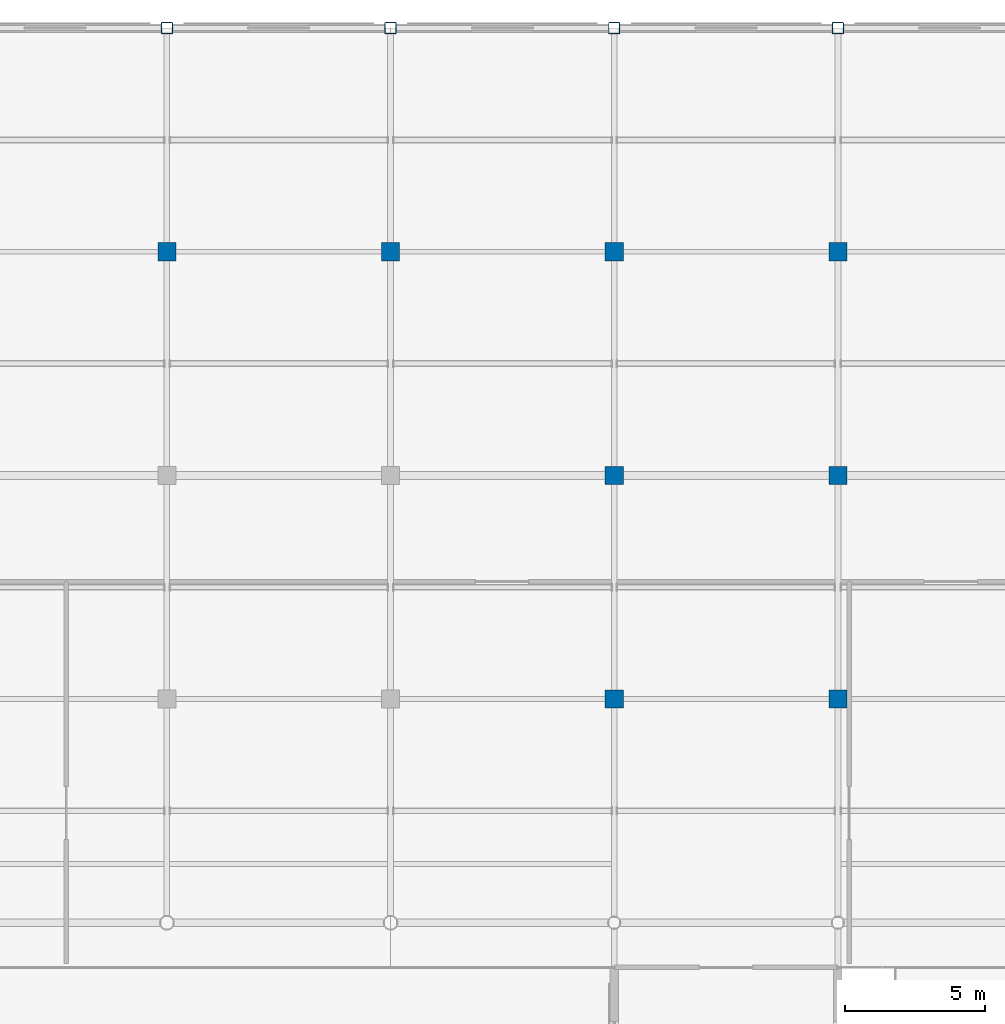
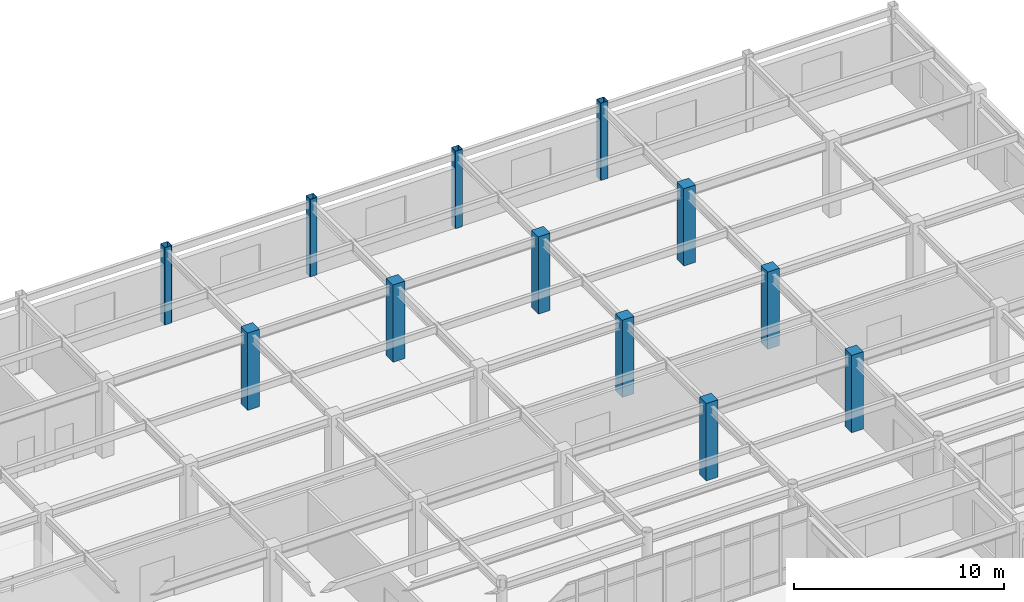
# One storey, part 11 of 93: 12 columns.
"""IFC4 building model written with IfcOpenShell, lengths in metres."""

from ifc_helpers import new_model, si_unit, direction, frame, origin, origin_2d, place, context, subcontext, project, spatial, rectangle, hollow_rectangle, extrude, material, material_profile, profile_set, type_object, element, save


model = new_model("IFC4")

# Units and contexts
model_context = context("Model", 3, precision=1e-05, world=origin(), true_north=direction((0.0, 1.0)))
body_context = subcontext(model_context, "Body", "Model", "MODEL_VIEW")
ifc_project = project(units=[si_unit("LENGTHUNIT", "METRE"), si_unit("AREAUNIT", "SQUARE_METRE"), si_unit("VOLUMEUNIT", "CUBIC_METRE"), si_unit("PLANEANGLEUNIT", "RADIAN"), si_unit("MASSUNIT", "GRAM", prefix="KILO")], contexts=[model_context])

# Site, building, storey
site_placement = place(None, origin())
site = spatial("IfcSite", under=ifc_project, at=site_placement, CompositionType="ELEMENT")
building_placement = place(site_placement, origin())
building = spatial("IfcBuilding", under=site, at=building_placement, Name="Solmirada Galleria", CompositionType="ELEMENT")
storey_placement = place(building_placement, frame((0.0, 0.0, 14.89990234375)))
storey = spatial("IfcBuildingStorey", under=building, at=storey_placement, Name="L03", CompositionType="ELEMENT", Elevation=14.89990234375)

# Columns
ifc_material_1 = material(Name="Steel S355 / ASTM A500 Grade C", Category="steel")
ifc_material_profile_1 = material_profile(ifc_material_1, hollow_rectangle(XDim=0.406005859375, YDim=0.406005859375, WallThickness=0.0146484375, InnerFilletRadius=0.0146484375, OuterFilletRadius=0.029296875, at=origin_2d()), Name="HSS16X16X5/8")
ifc_profile_set_1 = profile_set([ifc_material_profile_1], Name="Steel S355 / ASTM A500 Grade C")
column_type_1 = type_object("IfcColumnType", Name="COL-HSS16", PredefinedType="COLUMN", material=ifc_profile_set_1)
for number, where, z_axis, x_axis, name in (
    (1, (72.0, 120.0, 0.0), (0.0, 0.0, 1.0), (1.0, 0.0, 0.0), "Structural column L03-0342"),
    (2, (80.0, 120.0, 0.0), (0.0, 0.0, 1.0), (1.0, 0.0, 0.0), "Structural column L03-0459"),
    (3, (88.0, 120.0, 0.0), (0.0, 0.0, 1.0), (1.0, 0.0, 0.0), "Structural column L03-0581"),
    (4, (96.0, 120.0, 0.0), (0.0, 0.0, 1.0), (1.0, 0.0, 0.0), "Structural column L03-0689"),
):
    element("IfcColumn", number, at=place(storey_placement, frame(where, z_axis=z_axis, x_axis=x_axis)), inside=storey, type_object=column_type_1, Name=name, PredefinedType="COLUMN", context=body_context, shape_type="SweptSolid", body=[
        extrude(hollow_rectangle(XDim=0.406005859375, YDim=0.406005859375, WallThickness=0.0146484375, InnerFilletRadius=0.0146484375, OuterFilletRadius=0.029296875, at=origin_2d()), origin(), (0.0, 0.0, 1.0), 4.5),
    ])
ifc_material_2 = material(Name="Concrete C40/50", Category="concrete")
ifc_material_profile_2 = material_profile(ifc_material_2, rectangle(XDim=0.64990234375, YDim=0.64990234375, at=origin_2d()), Name="RC650X650")
ifc_profile_set_2 = profile_set([ifc_material_profile_2], Name="Concrete C40/50")
column_type_2 = type_object("IfcColumnType", Name="COL-RC650", PredefinedType="COLUMN", material=ifc_profile_set_2)
for number, where, z_axis, x_axis, name in (
    (5, (72.0, 112.0, 0.0), (0.0, 0.0, 1.0), (1.0, 0.0, 0.0), "Structural column L03-0335"),
    (6, (80.0, 112.0, 0.0), (0.0, 0.0, 1.0), (1.0, 0.0, 0.0), "Structural column L03-0452"),
    (7, (88.0, 96.0, 0.0), (0.0, 0.0, 1.0), (1.0, 0.0, 0.0), "Structural column L03-0560"),
    (8, (88.0, 104.0, 0.0), (0.0, 0.0, 1.0), (1.0, 0.0, 0.0), "Structural column L03-0567"),
    (9, (88.0, 112.0, 0.0), (0.0, 0.0, 1.0), (1.0, 0.0, 0.0), "Structural column L03-0574"),
    (10, (96.0, 96.0, 0.0), (0.0, 0.0, 1.0), (1.0, 0.0, 0.0), "Structural column L03-0668"),
    (11, (96.0, 104.0, 0.0), (0.0, 0.0, 1.0), (1.0, 0.0, 0.0), "Structural column L03-0675"),
    (12, (96.0, 112.0, 0.0), (0.0, 0.0, 1.0), (1.0, 0.0, 0.0), "Structural column L03-0682"),
):
    element("IfcColumn", number, at=place(storey_placement, frame(where, z_axis=z_axis, x_axis=x_axis)), inside=storey, type_object=column_type_2, Name=name, PredefinedType="COLUMN", context=body_context, shape_type="SweptSolid", body=[
        extrude(rectangle(XDim=0.64990234375, YDim=0.64990234375, at=origin_2d()), origin(), (0.0, 0.0, 1.0), 4.5),
    ])

save(model, "model.ifc")
